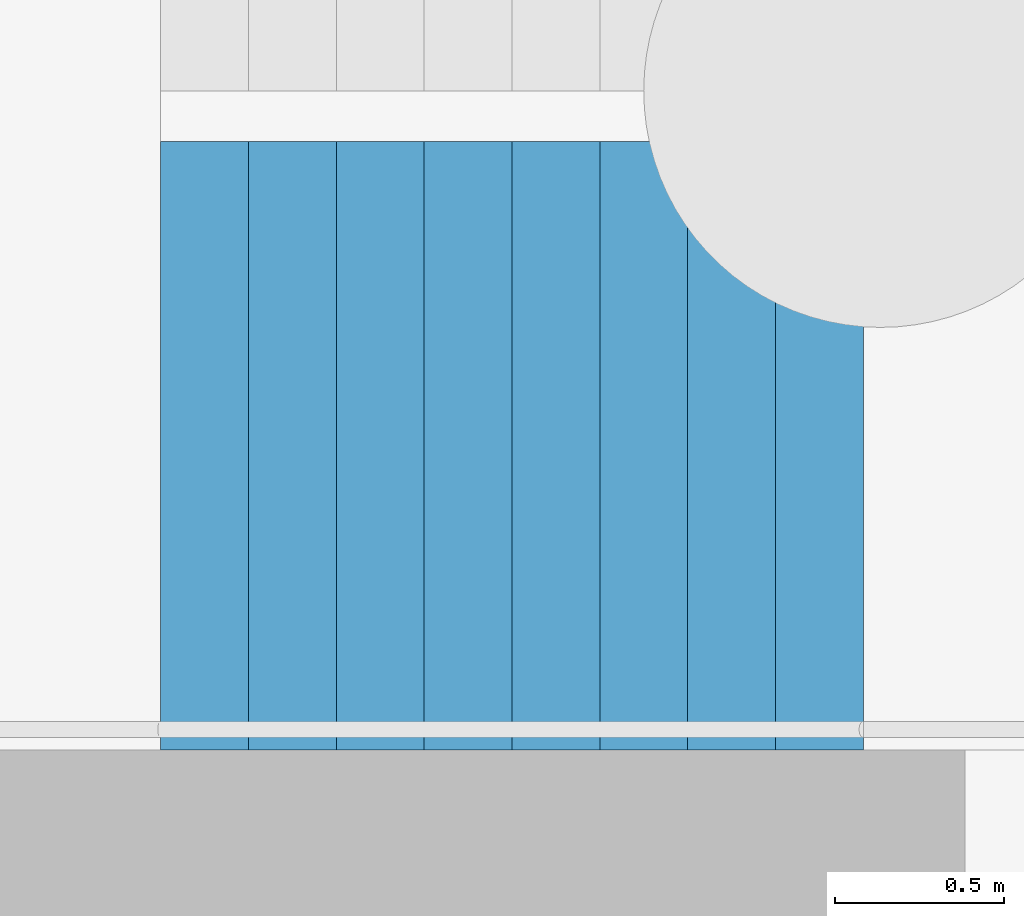
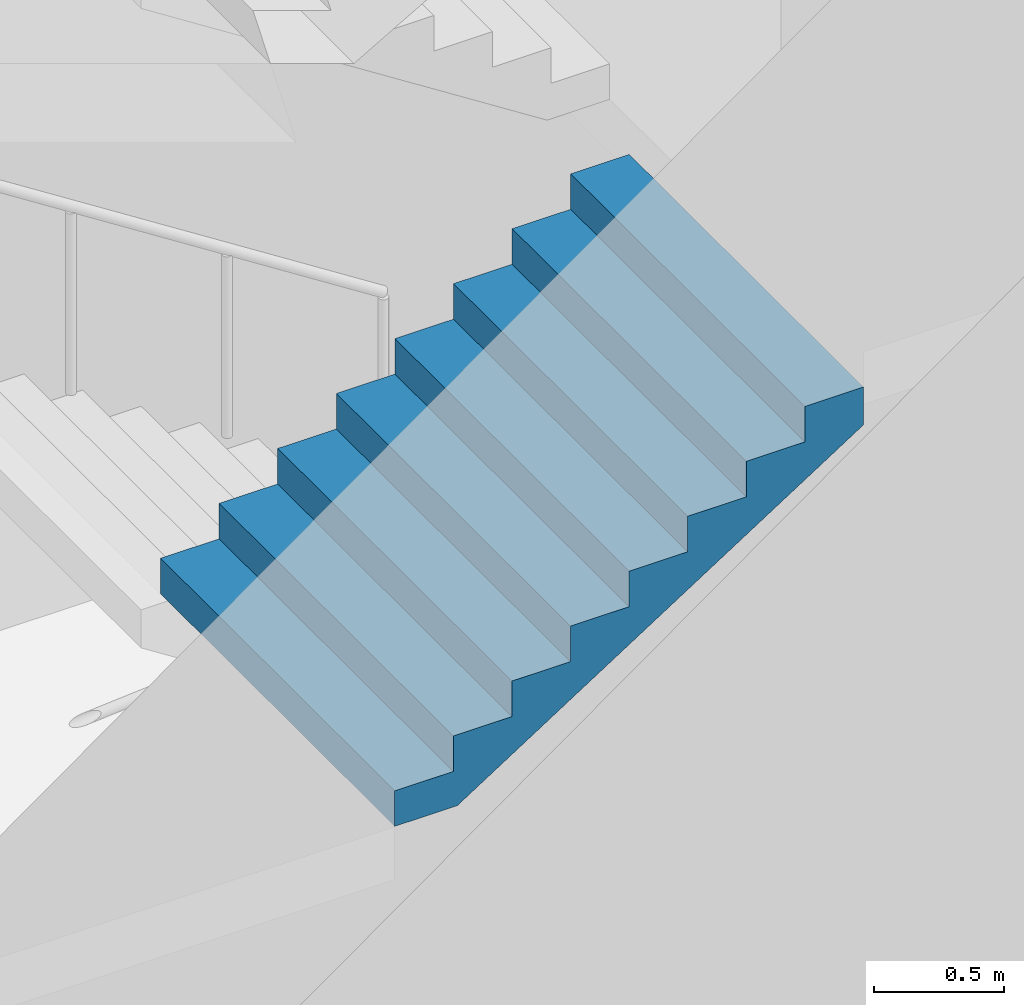
# One storey, part 52 of 113: 1 stair flight, 1 element without a shape of its own.
"""IFC4 building model written with IfcOpenShell, lengths in metres."""

from ifc_helpers import new_model, si_unit, direction, frame, origin, place, context, subcontext, project, spatial, triangles, material, type_object, element, aggregate, save


model = new_model("IFC4")

# Units and contexts
model_context = context("Model", 3, precision=1e-05, world=origin(), true_north=direction((0.0, 1.0)))
body_context = subcontext(model_context, "Body", "Model", "MODEL_VIEW")
ifc_project = project(units=[si_unit("LENGTHUNIT", "METRE"), si_unit("AREAUNIT", "SQUARE_METRE"), si_unit("VOLUMEUNIT", "CUBIC_METRE"), si_unit("PLANEANGLEUNIT", "RADIAN"), si_unit("MASSUNIT", "GRAM", prefix="KILO")], contexts=[model_context])

# Site, building, storey
site_placement = place(None, origin())
site = spatial("IfcSite", under=ifc_project, at=site_placement, CompositionType="ELEMENT")
building_placement = place(site_placement, origin())
building = spatial("IfcBuilding", under=site, at=building_placement, Name="Hakoniwa Tower and Hamabe Station Hall", CompositionType="ELEMENT")
storey_placement = place(building_placement, origin())
storey = spatial("IfcBuildingStorey", under=building, at=storey_placement, Name="L01", CompositionType="ELEMENT", Elevation=0.0)

# Stair, stair flight
ifc_material_1 = material(Name="Concrete C40", Category="concrete")
stair_type = type_object("IfcStairType", Name="ESCAPE STAIR 1800", PredefinedType="HALF_TURN_STAIR", material=ifc_material_1)
stair_placement = place(storey_placement, origin())
stair = element("IfcStair", 1, at=stair_placement, inside=storey, type_object=stair_type, Name="Escape stair ST-2 L01", PredefinedType="HALF_TURN_STAIR")
ifc_material_2 = material(Name="Concrete C40", Category="concrete")
stair_flight_type = type_object("IfcStairFlightType", Name="STAIR FLIGHT 1800", PredefinedType="STRAIGHT", material=ifc_material_2)
stair_flight_placement = place(storey_placement, frame((-25.47998046875, -6.60009765625, 1.5), z_axis=(0.0, 0.0, 1.0), x_axis=(1.0, 0.0, 0.0)))
stair_flight = element("IfcStairFlight", 2, at=stair_flight_placement, type_object=stair_flight_type, Name="ST-2 flight 2", NumberOfRisers=9, NumberOfTreads=8, PredefinedType="STRAIGHT", RiserHeight=0.166666667, TreadLength=0.26, context=body_context, shape_type="Tessellation", body=[
    triangles([(0.0, 0.89990234375, 0.0), (0.260009765625, 0.89990234375, 0.0), (0.27783203125, 0.89990234375, 0.0), (0.52001953125, 0.89990234375, 0.1552734375), (0.780029296875, 0.89990234375, 0.322021484375), (1.0400390625, 0.89990234375, 0.488525390625), (1.300048828125, 0.89990234375, 0.6552734375), (1.56005859375, 0.89990234375, 0.822021484375), (1.820068359375, 0.89990234375, 0.988525390625), (2.080078125, 0.89990234375, 1.1552734375), (2.080078125, 0.89990234375, 1.333251953125), (1.820068359375, 0.89990234375, 1.333251953125), (1.820068359375, 0.89990234375, 1.166748046875), (1.56005859375, 0.89990234375, 1.166748046875), (1.56005859375, 0.89990234375, 1.0), (1.300048828125, 0.89990234375, 1.0), (1.300048828125, 0.89990234375, 0.833251953125), (1.0400390625, 0.89990234375, 0.833251953125), (1.0400390625, 0.89990234375, 0.666748046875), (0.780029296875, 0.89990234375, 0.666748046875), (0.780029296875, 0.89990234375, 0.5), (0.52001953125, 0.89990234375, 0.5), (0.52001953125, 0.89990234375, 0.333251953125), (0.27783203125, 0.89990234375, 0.333251953125), (0.260009765625, 0.89990234375, 0.333251953125), (0.260009765625, 0.89990234375, 0.166748046875), (0.0, 0.89990234375, 0.166748046875), (0.0, 0.06005859375, 0.0), (0.260009765625, 0.06005859375, 0.0), (0.27783203125, 0.06005859375, 0.0), (0.52001953125, 0.06005859375, 0.1552734375), (0.780029296875, 0.06005859375, 0.322021484375), (1.0400390625, 0.06005859375, 0.488525390625), (1.300048828125, 0.06005859375, 0.6552734375), (1.56005859375, 0.06005859375, 0.822021484375), (1.820068359375, 0.06005859375, 0.988525390625), (2.080078125, 0.06005859375, 1.1552734375), (2.080078125, 0.06005859375, 1.333251953125), (1.820068359375, 0.06005859375, 1.333251953125), (1.820068359375, 0.06005859375, 1.166748046875), (1.56005859375, 0.06005859375, 1.166748046875), (1.56005859375, 0.06005859375, 1.0), (1.300048828125, 0.06005859375, 1.0), (1.300048828125, 0.06005859375, 0.833251953125), (1.0400390625, 0.06005859375, 0.833251953125), (1.0400390625, 0.06005859375, 0.666748046875), (0.780029296875, 0.06005859375, 0.666748046875), (0.780029296875, 0.06005859375, 0.5), (0.52001953125, 0.06005859375, 0.5), (0.52001953125, 0.06005859375, 0.333251953125), (0.27783203125, 0.06005859375, 0.333251953125), (0.260009765625, 0.06005859375, 0.333251953125), (0.260009765625, 0.06005859375, 0.166748046875), (0.0, 0.06005859375, 0.166748046875), (0.0, 0.04296875, 0.0), (0.260009765625, 0.04296875, 0.0), (0.27783203125, 0.04296875, 0.0), (0.52001953125, 0.04296875, 0.1552734375), (0.780029296875, 0.04296875, 0.322021484375), (1.0400390625, 0.04296875, 0.488525390625), (1.300048828125, 0.04296875, 0.6552734375), (1.56005859375, 0.04296875, 0.822021484375), (1.820068359375, 0.04296875, 0.988525390625), (2.080078125, 0.04296875, 1.1552734375), (2.080078125, 0.04296875, 1.333251953125), (1.820068359375, 0.04296875, 1.333251953125), (1.820068359375, 0.04296875, 1.166748046875), (1.56005859375, 0.04296875, 1.166748046875), (1.56005859375, 0.04296875, 1.0), (1.300048828125, 0.04296875, 1.0), (1.300048828125, 0.04296875, 0.833251953125), (1.0400390625, 0.04296875, 0.833251953125), (1.0400390625, 0.04296875, 0.666748046875), (0.780029296875, 0.04296875, 0.666748046875), (0.780029296875, 0.04296875, 0.5), (0.52001953125, 0.04296875, 0.5), (0.52001953125, 0.04296875, 0.333251953125), (0.27783203125, 0.04296875, 0.333251953125), (0.260009765625, 0.04296875, 0.333251953125), (0.260009765625, 0.04296875, 0.166748046875), (0.0, 0.04296875, 0.166748046875), (0.0, 0.025634765625, 0.0), (0.260009765625, 0.025634765625, 0.0), (0.27783203125, 0.025634765625, 0.0), (0.52001953125, 0.025634765625, 0.1552734375), (0.780029296875, 0.025634765625, 0.322021484375), (1.0400390625, 0.025634765625, 0.488525390625), (1.300048828125, 0.025634765625, 0.6552734375), (1.56005859375, 0.025634765625, 0.822021484375), (1.820068359375, 0.025634765625, 0.988525390625), (2.080078125, 0.025634765625, 1.1552734375), (2.080078125, 0.025634765625, 1.333251953125), (1.820068359375, 0.025634765625, 1.333251953125), (1.820068359375, 0.025634765625, 1.166748046875), (1.56005859375, 0.025634765625, 1.166748046875), (1.56005859375, 0.025634765625, 1.0), (1.300048828125, 0.025634765625, 1.0), (1.300048828125, 0.025634765625, 0.833251953125), (1.0400390625, 0.025634765625, 0.833251953125), (1.0400390625, 0.025634765625, 0.666748046875), (0.780029296875, 0.025634765625, 0.666748046875), (0.780029296875, 0.025634765625, 0.5), (0.52001953125, 0.025634765625, 0.5), (0.52001953125, 0.025634765625, 0.333251953125), (0.27783203125, 0.025634765625, 0.333251953125), (0.260009765625, 0.025634765625, 0.333251953125), (0.260009765625, 0.025634765625, 0.166748046875), (0.0, 0.025634765625, 0.166748046875), (0.0, 0.008544921875, 0.0), (0.260009765625, 0.008544921875, 0.0), (0.27783203125, 0.008544921875, 0.0), (0.52001953125, 0.008544921875, 0.1552734375), (0.780029296875, 0.008544921875, 0.322021484375), (1.0400390625, 0.008544921875, 0.488525390625), (1.300048828125, 0.008544921875, 0.6552734375), (1.56005859375, 0.008544921875, 0.822021484375), (1.820068359375, 0.008544921875, 0.988525390625), (2.080078125, 0.008544921875, 1.1552734375), (2.080078125, 0.008544921875, 1.333251953125), (1.820068359375, 0.008544921875, 1.333251953125), (1.820068359375, 0.008544921875, 1.166748046875), (1.56005859375, 0.008544921875, 1.166748046875), (1.56005859375, 0.008544921875, 1.0), (1.300048828125, 0.008544921875, 1.0), (1.300048828125, 0.008544921875, 0.833251953125), (1.0400390625, 0.008544921875, 0.833251953125), (1.0400390625, 0.008544921875, 0.666748046875), (0.780029296875, 0.008544921875, 0.666748046875), (0.780029296875, 0.008544921875, 0.5), (0.52001953125, 0.008544921875, 0.5), (0.52001953125, 0.008544921875, 0.333251953125), (0.27783203125, 0.008544921875, 0.333251953125), (0.260009765625, 0.008544921875, 0.333251953125), (0.260009765625, 0.008544921875, 0.166748046875), (0.0, 0.008544921875, 0.166748046875), (0.0, -0.008544921875, 0.0), (0.260009765625, -0.008544921875, 0.0), (0.27783203125, -0.008544921875, 0.0), (0.52001953125, -0.008544921875, 0.1552734375), (0.780029296875, -0.008544921875, 0.322021484375), (1.0400390625, -0.008544921875, 0.488525390625), (1.300048828125, -0.008544921875, 0.6552734375), (1.56005859375, -0.008544921875, 0.822021484375), (1.820068359375, -0.008544921875, 0.988525390625), (2.080078125, -0.008544921875, 1.1552734375), (2.080078125, -0.008544921875, 1.333251953125), (1.820068359375, -0.008544921875, 1.333251953125), (1.820068359375, -0.008544921875, 1.166748046875), (1.56005859375, -0.008544921875, 1.166748046875), (1.56005859375, -0.008544921875, 1.0), (1.300048828125, -0.008544921875, 1.0), (1.300048828125, -0.008544921875, 0.833251953125), (1.0400390625, -0.008544921875, 0.833251953125), (1.0400390625, -0.008544921875, 0.666748046875), (0.780029296875, -0.008544921875, 0.666748046875), (0.780029296875, -0.008544921875, 0.5), (0.52001953125, -0.008544921875, 0.5), (0.52001953125, -0.008544921875, 0.333251953125), (0.27783203125, -0.008544921875, 0.333251953125), (0.260009765625, -0.008544921875, 0.333251953125), (0.260009765625, -0.008544921875, 0.166748046875), (0.0, -0.008544921875, 0.166748046875), (0.0, -0.025634765625, 0.0), (0.260009765625, -0.025634765625, 0.0), (0.27783203125, -0.025634765625, 0.0), (0.52001953125, -0.025634765625, 0.1552734375), (0.780029296875, -0.025634765625, 0.322021484375), (1.0400390625, -0.025634765625, 0.488525390625), (1.300048828125, -0.025634765625, 0.6552734375), (1.56005859375, -0.025634765625, 0.822021484375), (1.820068359375, -0.025634765625, 0.988525390625), (2.080078125, -0.025634765625, 1.1552734375), (2.080078125, -0.025634765625, 1.333251953125), (1.820068359375, -0.025634765625, 1.333251953125), (1.820068359375, -0.025634765625, 1.166748046875), (1.56005859375, -0.025634765625, 1.166748046875), (1.56005859375, -0.025634765625, 1.0), (1.300048828125, -0.025634765625, 1.0), (1.300048828125, -0.025634765625, 0.833251953125), (1.0400390625, -0.025634765625, 0.833251953125), (1.0400390625, -0.025634765625, 0.666748046875), (0.780029296875, -0.025634765625, 0.666748046875), (0.780029296875, -0.025634765625, 0.5), (0.52001953125, -0.025634765625, 0.5), (0.52001953125, -0.025634765625, 0.333251953125), (0.27783203125, -0.025634765625, 0.333251953125), (0.260009765625, -0.025634765625, 0.333251953125), (0.260009765625, -0.025634765625, 0.166748046875), (0.0, -0.025634765625, 0.166748046875), (0.0, -0.04296875, 0.0), (0.260009765625, -0.04296875, 0.0), (0.27783203125, -0.04296875, 0.0), (0.52001953125, -0.04296875, 0.1552734375), (0.780029296875, -0.04296875, 0.322021484375), (1.0400390625, -0.04296875, 0.488525390625), (1.300048828125, -0.04296875, 0.6552734375), (1.56005859375, -0.04296875, 0.822021484375), (1.820068359375, -0.04296875, 0.988525390625), (2.080078125, -0.04296875, 1.1552734375), (2.080078125, -0.04296875, 1.333251953125), (1.820068359375, -0.04296875, 1.333251953125), (1.820068359375, -0.04296875, 1.166748046875), (1.56005859375, -0.04296875, 1.166748046875), (1.56005859375, -0.04296875, 1.0), (1.300048828125, -0.04296875, 1.0), (1.300048828125, -0.04296875, 0.833251953125), (1.0400390625, -0.04296875, 0.833251953125), (1.0400390625, -0.04296875, 0.666748046875), (0.780029296875, -0.04296875, 0.666748046875), (0.780029296875, -0.04296875, 0.5), (0.52001953125, -0.04296875, 0.5), (0.52001953125, -0.04296875, 0.333251953125), (0.27783203125, -0.04296875, 0.333251953125), (0.260009765625, -0.04296875, 0.333251953125), (0.260009765625, -0.04296875, 0.166748046875), (0.0, -0.04296875, 0.166748046875), (0.0, -0.06005859375, 0.0), (0.260009765625, -0.06005859375, 0.0), (0.27783203125, -0.06005859375, 0.0), (0.52001953125, -0.06005859375, 0.1552734375), (0.780029296875, -0.06005859375, 0.322021484375), (1.0400390625, -0.06005859375, 0.488525390625), (1.300048828125, -0.06005859375, 0.6552734375), (1.56005859375, -0.06005859375, 0.822021484375), (1.820068359375, -0.06005859375, 0.988525390625), (2.080078125, -0.06005859375, 1.1552734375), (2.080078125, -0.06005859375, 1.333251953125), (1.820068359375, -0.06005859375, 1.333251953125), (1.820068359375, -0.06005859375, 1.166748046875), (1.56005859375, -0.06005859375, 1.166748046875), (1.56005859375, -0.06005859375, 1.0), (1.300048828125, -0.06005859375, 1.0), (1.300048828125, -0.06005859375, 0.833251953125), (1.0400390625, -0.06005859375, 0.833251953125), (1.0400390625, -0.06005859375, 0.666748046875), (0.780029296875, -0.06005859375, 0.666748046875), (0.780029296875, -0.06005859375, 0.5), (0.52001953125, -0.06005859375, 0.5), (0.52001953125, -0.06005859375, 0.333251953125), (0.27783203125, -0.06005859375, 0.333251953125), (0.260009765625, -0.06005859375, 0.333251953125), (0.260009765625, -0.06005859375, 0.166748046875), (0.0, -0.06005859375, 0.166748046875), (0.0, -0.89990234375, 0.0), (0.260009765625, -0.89990234375, 0.0), (0.27783203125, -0.89990234375, 0.0), (0.52001953125, -0.89990234375, 0.1552734375), (0.780029296875, -0.89990234375, 0.322021484375), (1.0400390625, -0.89990234375, 0.488525390625), (1.300048828125, -0.89990234375, 0.6552734375), (1.56005859375, -0.89990234375, 0.822021484375), (1.820068359375, -0.89990234375, 0.988525390625), (2.080078125, -0.89990234375, 1.1552734375), (2.080078125, -0.89990234375, 1.333251953125), (1.820068359375, -0.89990234375, 1.333251953125), (1.820068359375, -0.89990234375, 1.166748046875), (1.56005859375, -0.89990234375, 1.166748046875), (1.56005859375, -0.89990234375, 1.0), (1.300048828125, -0.89990234375, 1.0), (1.300048828125, -0.89990234375, 0.833251953125), (1.0400390625, -0.89990234375, 0.833251953125), (1.0400390625, -0.89990234375, 0.666748046875), (0.780029296875, -0.89990234375, 0.666748046875), (0.780029296875, -0.89990234375, 0.5), (0.52001953125, -0.89990234375, 0.5), (0.52001953125, -0.89990234375, 0.333251953125), (0.27783203125, -0.89990234375, 0.333251953125), (0.260009765625, -0.89990234375, 0.333251953125), (0.260009765625, -0.89990234375, 0.166748046875), (0.0, -0.89990234375, 0.166748046875)], [[2, 27, 26], [245, 269, 270], [2, 1, 27], [245, 270, 244], [3, 25, 24], [246, 267, 268], [3, 26, 25], [246, 268, 269], [3, 2, 26], [246, 269, 245], [4, 24, 23], [247, 266, 267], [4, 3, 24], [247, 267, 246], [5, 22, 21], [248, 264, 265], [5, 23, 22], [248, 265, 266], [5, 4, 23], [248, 266, 247], [6, 20, 19], [249, 262, 263], [6, 21, 20], [249, 263, 264], [6, 5, 21], [249, 264, 248], [7, 18, 17], [250, 260, 261], [7, 19, 18], [250, 261, 262], [7, 6, 19], [250, 262, 249], [8, 16, 15], [251, 258, 259], [8, 17, 16], [251, 259, 260], [8, 7, 17], [251, 260, 250], [9, 14, 13], [252, 256, 257], [9, 15, 14], [252, 257, 258], [9, 8, 15], [252, 258, 251], [10, 12, 11], [253, 254, 255], [10, 13, 12], [253, 255, 256], [10, 9, 13], [253, 256, 252], [1, 2, 29], [1, 29, 28], [28, 29, 56], [28, 56, 55], [55, 56, 83], [55, 83, 82], [82, 83, 110], [82, 110, 109], [109, 110, 137], [109, 137, 136], [136, 137, 164], [136, 164, 163], [163, 164, 191], [163, 191, 190], [190, 191, 218], [190, 218, 217], [217, 218, 245], [217, 245, 244], [2, 3, 30], [2, 30, 29], [29, 30, 57], [29, 57, 56], [56, 57, 84], [56, 84, 83], [83, 84, 111], [83, 111, 110], [110, 111, 138], [110, 138, 137], [137, 138, 165], [137, 165, 164], [164, 165, 192], [164, 192, 191], [191, 192, 219], [191, 219, 218], [218, 219, 246], [218, 246, 245], [3, 4, 31], [3, 31, 30], [30, 31, 58], [30, 58, 57], [57, 58, 85], [57, 85, 84], [84, 85, 112], [84, 112, 111], [111, 112, 139], [111, 139, 138], [138, 139, 166], [138, 166, 165], [165, 166, 193], [165, 193, 192], [192, 193, 220], [192, 220, 219], [219, 220, 247], [219, 247, 246], [4, 5, 32], [4, 32, 31], [31, 32, 59], [31, 59, 58], [58, 59, 86], [58, 86, 85], [85, 86, 113], [85, 113, 112], [112, 113, 140], [112, 140, 139], [139, 140, 167], [139, 167, 166], [166, 167, 194], [166, 194, 193], [193, 194, 221], [193, 221, 220], [220, 221, 248], [220, 248, 247], [5, 6, 33], [5, 33, 32], [32, 33, 60], [32, 60, 59], [59, 60, 87], [59, 87, 86], [86, 87, 114], [86, 114, 113], [113, 114, 141], [113, 141, 140], [140, 141, 168], [140, 168, 167], [167, 168, 195], [167, 195, 194], [194, 195, 222], [194, 222, 221], [221, 222, 249], [221, 249, 248], [6, 7, 34], [6, 34, 33], [33, 34, 61], [33, 61, 60], [60, 61, 88], [60, 88, 87], [87, 88, 115], [87, 115, 114], [114, 115, 142], [114, 142, 141], [141, 142, 169], [141, 169, 168], [168, 169, 196], [168, 196, 195], [195, 196, 223], [195, 223, 222], [222, 223, 250], [222, 250, 249], [7, 8, 35], [7, 35, 34], [34, 35, 62], [34, 62, 61], [61, 62, 89], [61, 89, 88], [88, 89, 116], [88, 116, 115], [115, 116, 143], [115, 143, 142], [142, 143, 170], [142, 170, 169], [169, 170, 197], [169, 197, 196], [196, 197, 224], [196, 224, 223], [223, 224, 251], [223, 251, 250], [8, 9, 36], [8, 36, 35], [35, 36, 63], [35, 63, 62], [62, 63, 90], [62, 90, 89], [89, 90, 117], [89, 117, 116], [116, 117, 144], [116, 144, 143], [143, 144, 171], [143, 171, 170], [170, 171, 198], [170, 198, 197], [197, 198, 225], [197, 225, 224], [224, 225, 252], [224, 252, 251], [9, 10, 37], [9, 37, 36], [36, 37, 64], [36, 64, 63], [63, 64, 91], [63, 91, 90], [90, 91, 118], [90, 118, 117], [117, 118, 145], [117, 145, 144], [144, 145, 172], [144, 172, 171], [171, 172, 199], [171, 199, 198], [198, 199, 226], [198, 226, 225], [225, 226, 253], [225, 253, 252], [10, 11, 38], [10, 38, 37], [37, 38, 65], [37, 65, 64], [64, 65, 92], [64, 92, 91], [91, 92, 119], [91, 119, 118], [118, 119, 146], [118, 146, 145], [145, 146, 173], [145, 173, 172], [172, 173, 200], [172, 200, 199], [199, 200, 227], [199, 227, 226], [226, 227, 254], [226, 254, 253], [11, 12, 39], [11, 39, 38], [38, 39, 66], [38, 66, 65], [65, 66, 93], [65, 93, 92], [92, 93, 120], [92, 120, 119], [119, 120, 147], [119, 147, 146], [146, 147, 174], [146, 174, 173], [173, 174, 201], [173, 201, 200], [200, 201, 228], [200, 228, 227], [227, 228, 255], [227, 255, 254], [12, 13, 40], [12, 40, 39], [39, 40, 67], [39, 67, 66], [66, 67, 94], [66, 94, 93], [93, 94, 121], [93, 121, 120], [120, 121, 148], [120, 148, 147], [147, 148, 175], [147, 175, 174], [174, 175, 202], [174, 202, 201], [201, 202, 229], [201, 229, 228], [228, 229, 256], [228, 256, 255], [13, 14, 41], [13, 41, 40], [40, 41, 68], [40, 68, 67], [67, 68, 95], [67, 95, 94], [94, 95, 122], [94, 122, 121], [121, 122, 149], [121, 149, 148], [148, 149, 176], [148, 176, 175], [175, 176, 203], [175, 203, 202], [202, 203, 230], [202, 230, 229], [229, 230, 257], [229, 257, 256], [14, 15, 42], [14, 42, 41], [41, 42, 69], [41, 69, 68], [68, 69, 96], [68, 96, 95], [95, 96, 123], [95, 123, 122], [122, 123, 150], [122, 150, 149], [149, 150, 177], [149, 177, 176], [176, 177, 204], [176, 204, 203], [203, 204, 231], [203, 231, 230], [230, 231, 258], [230, 258, 257], [15, 16, 43], [15, 43, 42], [42, 43, 70], [42, 70, 69], [69, 70, 97], [69, 97, 96], [96, 97, 124], [96, 124, 123], [123, 124, 151], [123, 151, 150], [150, 151, 178], [150, 178, 177], [177, 178, 205], [177, 205, 204], [204, 205, 232], [204, 232, 231], [231, 232, 259], [231, 259, 258], [16, 17, 44], [16, 44, 43], [43, 44, 71], [43, 71, 70], [70, 71, 98], [70, 98, 97], [97, 98, 125], [97, 125, 124], [124, 125, 152], [124, 152, 151], [151, 152, 179], [151, 179, 178], [178, 179, 206], [178, 206, 205], [205, 206, 233], [205, 233, 232], [232, 233, 260], [232, 260, 259], [17, 18, 45], [17, 45, 44], [44, 45, 72], [44, 72, 71], [71, 72, 99], [71, 99, 98], [98, 99, 126], [98, 126, 125], [125, 126, 153], [125, 153, 152], [152, 153, 180], [152, 180, 179], [179, 180, 207], [179, 207, 206], [206, 207, 234], [206, 234, 233], [233, 234, 261], [233, 261, 260], [18, 19, 46], [18, 46, 45], [45, 46, 73], [45, 73, 72], [72, 73, 100], [72, 100, 99], [99, 100, 127], [99, 127, 126], [126, 127, 154], [126, 154, 153], [153, 154, 181], [153, 181, 180], [180, 181, 208], [180, 208, 207], [207, 208, 235], [207, 235, 234], [234, 235, 262], [234, 262, 261], [19, 20, 47], [19, 47, 46], [46, 47, 74], [46, 74, 73], [73, 74, 101], [73, 101, 100], [100, 101, 128], [100, 128, 127], [127, 128, 155], [127, 155, 154], [154, 155, 182], [154, 182, 181], [181, 182, 209], [181, 209, 208], [208, 209, 236], [208, 236, 235], [235, 236, 263], [235, 263, 262], [20, 21, 48], [20, 48, 47], [47, 48, 75], [47, 75, 74], [74, 75, 102], [74, 102, 101], [101, 102, 129], [101, 129, 128], [128, 129, 156], [128, 156, 155], [155, 156, 183], [155, 183, 182], [182, 183, 210], [182, 210, 209], [209, 210, 237], [209, 237, 236], [236, 237, 264], [236, 264, 263], [21, 22, 49], [21, 49, 48], [48, 49, 76], [48, 76, 75], [75, 76, 103], [75, 103, 102], [102, 103, 130], [102, 130, 129], [129, 130, 157], [129, 157, 156], [156, 157, 184], [156, 184, 183], [183, 184, 211], [183, 211, 210], [210, 211, 238], [210, 238, 237], [237, 238, 265], [237, 265, 264], [22, 23, 50], [22, 50, 49], [49, 50, 77], [49, 77, 76], [76, 77, 104], [76, 104, 103], [103, 104, 131], [103, 131, 130], [130, 131, 158], [130, 158, 157], [157, 158, 185], [157, 185, 184], [184, 185, 212], [184, 212, 211], [211, 212, 239], [211, 239, 238], [238, 239, 266], [238, 266, 265], [23, 24, 51], [23, 51, 50], [50, 51, 78], [50, 78, 77], [77, 78, 105], [77, 105, 104], [104, 105, 132], [104, 132, 131], [131, 132, 159], [131, 159, 158], [158, 159, 186], [158, 186, 185], [185, 186, 213], [185, 213, 212], [212, 213, 240], [212, 240, 239], [239, 240, 267], [239, 267, 266], [24, 25, 52], [24, 52, 51], [51, 52, 79], [51, 79, 78], [78, 79, 106], [78, 106, 105], [105, 106, 133], [105, 133, 132], [132, 133, 160], [132, 160, 159], [159, 160, 187], [159, 187, 186], [186, 187, 214], [186, 214, 213], [213, 214, 241], [213, 241, 240], [240, 241, 268], [240, 268, 267], [25, 26, 53], [25, 53, 52], [52, 53, 80], [52, 80, 79], [79, 80, 107], [79, 107, 106], [106, 107, 134], [106, 134, 133], [133, 134, 161], [133, 161, 160], [160, 161, 188], [160, 188, 187], [187, 188, 215], [187, 215, 214], [214, 215, 242], [214, 242, 241], [241, 242, 269], [241, 269, 268], [26, 27, 54], [26, 54, 53], [53, 54, 81], [53, 81, 80], [80, 81, 108], [80, 108, 107], [107, 108, 135], [107, 135, 134], [134, 135, 162], [134, 162, 161], [161, 162, 189], [161, 189, 188], [188, 189, 216], [188, 216, 215], [215, 216, 243], [215, 243, 242], [242, 243, 270], [242, 270, 269], [27, 1, 28], [27, 28, 54], [54, 28, 55], [54, 55, 81], [81, 55, 82], [81, 82, 108], [108, 82, 109], [108, 109, 135], [135, 109, 136], [135, 136, 162], [162, 136, 163], [162, 163, 189], [189, 163, 190], [189, 190, 216], [216, 190, 217], [216, 217, 243], [243, 217, 244], [243, 244, 270]], closed=True),
])
aggregate(stair, [stair_flight])

save(model, "model.ifc")
